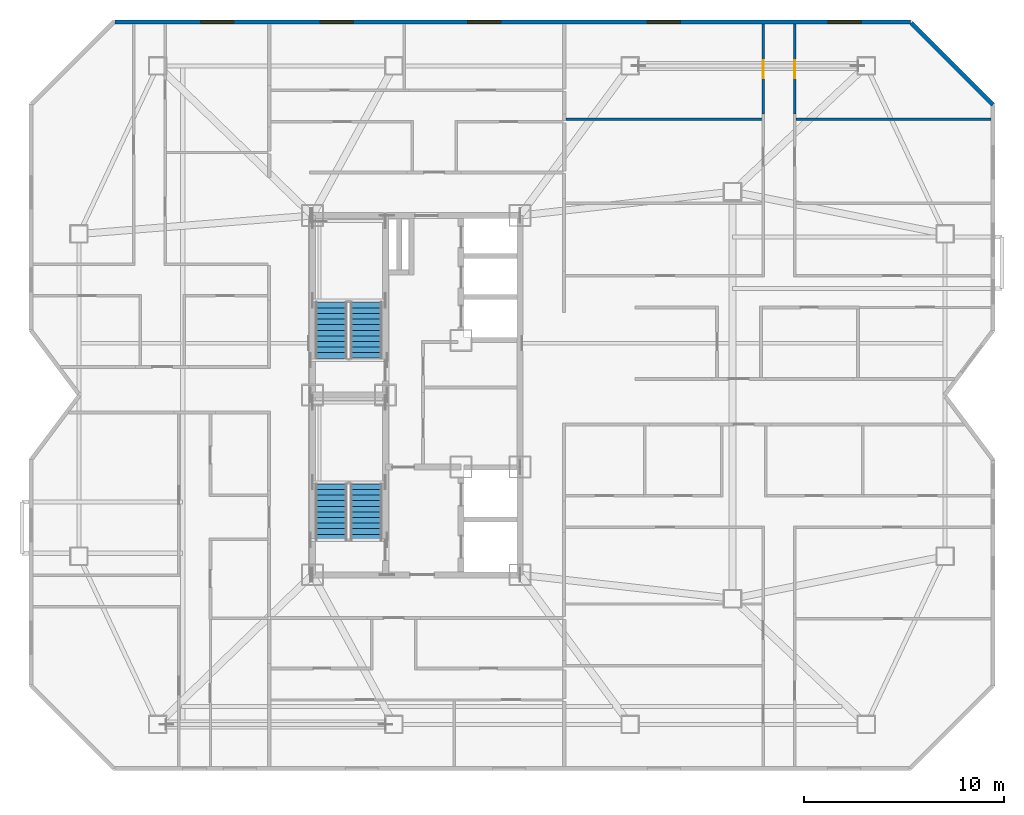
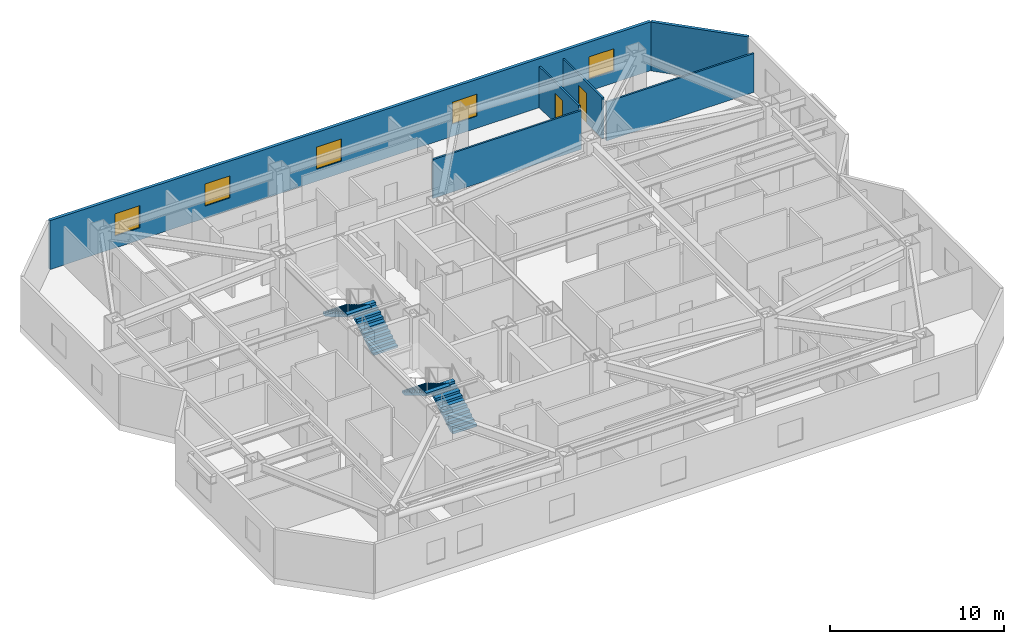
# One storey, part 10 of 11: 6 walls, 5 windows, 4 stair flights, 2 doors, 7 openings, 2 elements without a shape of their own.
"""IFC4 building model written with IfcOpenShell, lengths in metres."""

from ifc_helpers import new_model, si_unit, direction, frame, frame_2d, origin, place, context, subcontext, project, spatial, polyline, rectangle, outline, extrude, material, layer, layer_set, type_object, element, fill, aggregate, save


model = new_model("IFC4")

# Units and contexts
model_context = context("Model", 3, precision=1e-05, world=origin(), true_north=direction((0.0, 1.0)))
body_context = subcontext(model_context, "Body", "Model", "MODEL_VIEW")
ifc_project = project(units=[si_unit("LENGTHUNIT", "METRE"), si_unit("AREAUNIT", "SQUARE_METRE"), si_unit("VOLUMEUNIT", "CUBIC_METRE"), si_unit("PLANEANGLEUNIT", "RADIAN"), si_unit("MASSUNIT", "GRAM", prefix="KILO")], contexts=[model_context])

# Site, building, storey
site_placement = place(None, origin())
site = spatial("IfcSite", under=ifc_project, at=site_placement, CompositionType="ELEMENT")
building_placement = place(site_placement, origin())
building = spatial("IfcBuilding", under=site, at=building_placement, Name="Khamvora Tower", CompositionType="ELEMENT")
storey_placement = place(building_placement, frame((0.0, 0.0, 155.89990234375)))
storey = spatial("IfcBuildingStorey", under=building, at=storey_placement, Name="L39", CompositionType="ELEMENT", Elevation=155.89990234375)

# Wall, openings, windows
ifc_material_1 = material(Name="Precast concrete C40/50", Category="concrete")
ifc_layer_1 = layer(ifc_material_1, 0.199951171875)
ifc_layer_set_1 = layer_set([ifc_layer_1], Name="Precast concrete C40/50")
wall_type_1 = type_object("IfcWallType", Name="WAL-EXT-200", PredefinedType="STANDARD", material=ifc_layer_set_1)
wall_1_placement = place(storey_placement, frame((19.10205078125, 46.699951171875, 0.0), z_axis=(0.0, 0.0, 1.0), x_axis=(1.0, 0.0, 0.0)))
wall_1 = element("IfcWall", 1, at=wall_1_placement, inside=storey, type_object=wall_type_1, Name="L39 exterior facade wall 07.1", PredefinedType="STANDARD", context=body_context, shape_type="SweptSolid", body=[
    extrude(rectangle(XDim=39.85693359375, YDim=0.199951171875, at=frame_2d((19.928466796875, 0.0))), origin(), (0.0, 0.0, 1.0), 3.43017578125),
])
opening_1_placement = place(wall_1_placement, frame((4.302978515625, 0.0, 0.85009765625)))
opening_1 = element("IfcOpeningElement", 2, at=opening_1_placement, cuts=wall_1, Name="Opening WN-06", PredefinedType="OPENING", context=body_context, shape_type="SweptSolid", body=[
    extrude(rectangle(XDim=1.64990234375, YDim=1.550048828125, at=frame_2d((0.824951171875, 0.77490234375))), frame((0.0, 0.10986328125, 0.0), z_axis=(0.0, -1.0, 0.0), x_axis=(1.0, 0.0, 0.0)), (0.0, 0.0, 1.0), 0.219970703125),
])
opening_2_placement = place(wall_1_placement, frame((10.2900390625, 0.0, 0.85009765625)))
opening_2 = element("IfcOpeningElement", 3, at=opening_2_placement, cuts=wall_1, Name="Opening WN-06", PredefinedType="OPENING", context=body_context, shape_type="SweptSolid", body=[
    extrude(rectangle(XDim=1.64990234375, YDim=1.550048828125, at=frame_2d((0.824951171875, 0.77490234375))), frame((0.0, 0.10986328125, 0.0), z_axis=(0.0, -1.0, 0.0), x_axis=(1.0, 0.0, 0.0)), (0.0, 0.0, 1.0), 0.219970703125),
])
opening_3_placement = place(wall_1_placement, frame((17.679931640625, 0.0, 0.85009765625)))
opening_3 = element("IfcOpeningElement", 4, at=opening_3_placement, cuts=wall_1, Name="Opening WN-06", PredefinedType="OPENING", context=body_context, shape_type="SweptSolid", body=[
    extrude(rectangle(XDim=1.64990234375, YDim=1.550048828125, at=frame_2d((0.824951171875, 0.77490234375))), frame((0.0, 0.10986328125, 0.0), z_axis=(0.0, -1.0, 0.0), x_axis=(1.0, 0.0, 0.0)), (0.0, 0.0, 1.0), 0.219970703125),
])
opening_4_placement = place(wall_1_placement, frame((26.679931640625, 0.0, 0.85009765625)))
opening_4 = element("IfcOpeningElement", 5, at=opening_4_placement, cuts=wall_1, Name="Opening WN-06", PredefinedType="OPENING", context=body_context, shape_type="SweptSolid", body=[
    extrude(rectangle(XDim=1.64990234375, YDim=1.550048828125, at=frame_2d((0.824951171875, 0.77490234375))), frame((0.0, 0.10986328125, 0.0), z_axis=(0.0, -1.0, 0.0), x_axis=(1.0, 0.0, 0.0)), (0.0, 0.0, 1.0), 0.219970703125),
])
opening_5_placement = place(wall_1_placement, frame((35.7451171875, 0.0, 0.85009765625)))
opening_5 = element("IfcOpeningElement", 6, at=opening_5_placement, cuts=wall_1, Name="Opening WN-06", PredefinedType="OPENING", context=body_context, shape_type="SweptSolid", body=[
    extrude(rectangle(XDim=1.64990234375, YDim=1.550048828125, at=frame_2d((0.824951171875, 0.77490234375))), frame((0.0, 0.10986328125, 0.0), z_axis=(0.0, -1.0, 0.0), x_axis=(1.0, 0.0, 0.0)), (0.0, 0.0, 1.0), 0.219970703125),
])
ifc_material_2 = material(Name="Low-E Laminated Double Glazing", Category="glass")
window_type = type_object("IfcWindowType", Name="WIN-VIS-1650x1550", PartitioningType="SINGLE_PANEL", PredefinedType="WINDOW", material=ifc_material_2)
window_1_placement = place(opening_1_placement, origin())
window_1 = element("IfcWindow", 7, at=window_1_placement, inside=storey, type_object=window_type, Name="L39 vision window 07.1.01", OverallHeight=1.550048828125, OverallWidth=1.64990234375, PartitioningType="SINGLE_PANEL", PredefinedType="WINDOW", context=body_context, shape_type="SweptSolid", body=[
    extrude(rectangle(XDim=1.64990234375, YDim=1.550048828125, at=frame_2d((0.824951171875, 0.77490234375))), frame((0.0, 0.030029296875, 0.0), z_axis=(0.0, -1.0, 0.0), x_axis=(1.0, 0.0, 0.0)), (0.0, 0.0, 1.0), 0.06005859375),
])
fill(opening_1, window_1)
window_2_placement = place(opening_2_placement, origin())
window_2 = element("IfcWindow", 8, at=window_2_placement, inside=storey, type_object=window_type, Name="L39 vision window 07.1.02", OverallHeight=1.550048828125, OverallWidth=1.64990234375, PartitioningType="SINGLE_PANEL", PredefinedType="WINDOW", context=body_context, shape_type="SweptSolid", body=[
    extrude(rectangle(XDim=1.64990234375, YDim=1.550048828125, at=frame_2d((0.824951171875, 0.77490234375))), frame((0.0, 0.030029296875, 0.0), z_axis=(0.0, -1.0, 0.0), x_axis=(1.0, 0.0, 0.0)), (0.0, 0.0, 1.0), 0.06005859375),
])
fill(opening_2, window_2)
window_3_placement = place(opening_3_placement, origin())
window_3 = element("IfcWindow", 9, at=window_3_placement, inside=storey, type_object=window_type, Name="L39 vision window 07.1.03", OverallHeight=1.550048828125, OverallWidth=1.64990234375, PartitioningType="SINGLE_PANEL", PredefinedType="WINDOW", context=body_context, shape_type="SweptSolid", body=[
    extrude(rectangle(XDim=1.64990234375, YDim=1.550048828125, at=frame_2d((0.824951171875, 0.77490234375))), frame((0.0, 0.030029296875, 0.0), z_axis=(0.0, -1.0, 0.0), x_axis=(1.0, 0.0, 0.0)), (0.0, 0.0, 1.0), 0.06005859375),
])
fill(opening_3, window_3)
window_4_placement = place(opening_4_placement, origin())
window_4 = element("IfcWindow", 10, at=window_4_placement, inside=storey, type_object=window_type, Name="L39 vision window 07.1.04", OverallHeight=1.550048828125, OverallWidth=1.64990234375, PartitioningType="SINGLE_PANEL", PredefinedType="WINDOW", context=body_context, shape_type="SweptSolid", body=[
    extrude(rectangle(XDim=1.64990234375, YDim=1.550048828125, at=frame_2d((0.824951171875, 0.77490234375))), frame((0.0, 0.030029296875, 0.0), z_axis=(0.0, -1.0, 0.0), x_axis=(1.0, 0.0, 0.0)), (0.0, 0.0, 1.0), 0.06005859375),
])
fill(opening_4, window_4)
window_5_placement = place(opening_5_placement, origin())
window_5 = element("IfcWindow", 11, at=window_5_placement, inside=storey, type_object=window_type, Name="L39 vision window 07.1.05", OverallHeight=1.550048828125, OverallWidth=1.64990234375, PartitioningType="SINGLE_PANEL", PredefinedType="WINDOW", context=body_context, shape_type="SweptSolid", body=[
    extrude(rectangle(XDim=1.64990234375, YDim=1.550048828125, at=frame_2d((0.824951171875, 0.77490234375))), frame((0.0, 0.030029296875, 0.0), z_axis=(0.0, -1.0, 0.0), x_axis=(1.0, 0.0, 0.0)), (0.0, 0.0, 1.0), 0.06005859375),
])
fill(opening_5, window_5)

# Wall
wall_2_placement = place(storey_placement, frame((59.0029296875, 46.656005859375, 0.0), z_axis=(0.0, 0.0, 1.0), x_axis=(0.707127848917, -0.707085712828, 0.0)))
element("IfcWall", 12, at=wall_2_placement, inside=storey, type_object=wall_type_1, Name="L39 exterior facade wall 08.1", PredefinedType="STANDARD", context=body_context, shape_type="SweptSolid", body=[
    extrude(rectangle(XDim=5.794189453125, YDim=0.199951171875, at=frame_2d((2.89697265625, 0.0))), origin(), (0.0, 0.0, 1.0), 3.43017578125),
])

# Wall, opening, door
ifc_material_3 = material(Name="Gypsum Plasterboard Partition", Category="gypsum")
ifc_layer_2 = layer(ifc_material_3, 0.1201171875)
ifc_layer_set_2 = layer_set([ifc_layer_2], Name="Gypsum Plasterboard Partition")
wall_type_2 = type_object("IfcWallType", Name="WAL-PART-120", PredefinedType="PARTITIONING", material=ifc_layer_set_2)
wall_3_placement = place(storey_placement, frame((51.60009765625, 42.077880859375, 0.0), z_axis=(0.0, 0.0, 1.0), x_axis=(0.0, 1.0, 0.0)))
wall_3 = element("IfcWall", 13, at=wall_3_placement, inside=storey, type_object=wall_type_2, Name="L39 interior partition wall 114", PredefinedType="PARTITIONING", context=body_context, shape_type="SweptSolid", body=[
    extrude(rectangle(XDim=4.530029296875, YDim=0.1201171875, at=frame_2d((2.26513671875, 0.0))), origin(), (0.0, 0.0, 1.0), 2.8759765625),
])
opening_6_placement = place(wall_3_placement, frame((1.81494140625, 0.0, 0.0)))
opening_6 = element("IfcOpeningElement", 14, at=opening_6_placement, cuts=wall_3, Name="Opening D-RM1", PredefinedType="OPENING", context=body_context, shape_type="SweptSolid", body=[
    extrude(rectangle(XDim=0.89990234375, YDim=2.10009765625, at=frame_2d((0.449951171875, 1.050048828125))), frame((0.0, 0.070068359375, 0.0), z_axis=(0.0, -1.0, 0.0), x_axis=(1.0, 0.0, 0.0)), (0.0, 0.0, 1.0), 0.14013671875),
])
ifc_material_4 = material(Name="Powder-Coated Steel and Hardwood Leaf", Category="steel")
door_type = type_object("IfcDoorType", Name="DOR-ROOM-900", OperationType="NOTDEFINED", PredefinedType="DOOR", material=ifc_material_4)
door_1_placement = place(opening_6_placement, origin())
door_1 = element("IfcDoor", 15, at=door_1_placement, inside=storey, type_object=door_type, Name="L39 interior door 39EBH-39EBR3", OperationType="SINGLE_SWING_LEFT", OverallHeight=2.10009765625, OverallWidth=0.89990234375, PredefinedType="DOOR", context=body_context, shape_type="SweptSolid", body=[
    extrude(rectangle(XDim=0.89990234375, YDim=2.10009765625, at=frame_2d((0.449951171875, 1.050048828125))), frame((0.0, 0.02490234375, 0.0), z_axis=(0.0, -1.0, 0.0), x_axis=(1.0, 0.0, 0.0)), (0.0, 0.0, 1.0), 0.050048828125),
])
fill(opening_6, door_1)

wall_4_placement = place(storey_placement, frame((53.169921875, 46.60791015625, 0.0), z_axis=(0.0, 0.0, 1.0), x_axis=(0.0, -1.0, 0.0)))
wall_4 = element("IfcWall", 16, at=wall_4_placement, inside=storey, type_object=wall_type_2, Name="L39 interior partition wall 118", PredefinedType="PARTITIONING", context=body_context, shape_type="SweptSolid", body=[
    extrude(rectangle(XDim=4.530029296875, YDim=0.1201171875, at=frame_2d((2.26513671875, 0.0))), origin(), (0.0, 0.0, 1.0), 2.8759765625),
])
opening_7_placement = place(wall_4_placement, frame((1.81494140625, 0.0, 0.0)))
opening_7 = element("IfcOpeningElement", 17, at=opening_7_placement, cuts=wall_4, Name="Opening D-RM1", PredefinedType="OPENING", context=body_context, shape_type="SweptSolid", body=[
    extrude(rectangle(XDim=0.89990234375, YDim=2.10009765625, at=frame_2d((0.449951171875, 1.050048828125))), frame((0.0, 0.070068359375, 0.0), z_axis=(0.0, -1.0, 0.0), x_axis=(1.0, 0.0, 0.0)), (0.0, 0.0, 1.0), 0.14013671875),
])
door_2_placement = place(opening_7_placement, origin())
door_2 = element("IfcDoor", 18, at=door_2_placement, inside=storey, type_object=door_type, Name="L39 interior door 39EBH-39EBR6", OperationType="SINGLE_SWING_RIGHT", OverallHeight=2.10009765625, OverallWidth=0.89990234375, PredefinedType="DOOR", context=body_context, shape_type="SweptSolid", body=[
    extrude(rectangle(XDim=0.89990234375, YDim=2.10009765625, at=frame_2d((0.449951171875, 1.050048828125))), frame((0.0, 0.02490234375, 0.0), z_axis=(0.0, -1.0, 0.0), x_axis=(1.0, 0.0, 0.0)), (0.0, 0.0, 1.0), 0.050048828125),
])
fill(opening_7, door_2)

# Walls
wall_5_placement = place(storey_placement, frame((41.697021484375, 41.8291015625, 0.0), z_axis=(0.0, 0.0, 1.0), x_axis=(1.0, 0.0, 0.0)))
element("IfcWall", 19, at=wall_5_placement, inside=storey, type_object=wall_type_2, Name="L39 interior partition wall 120", PredefinedType="PARTITIONING", context=body_context, shape_type="SweptSolid", body=[
    extrude(rectangle(XDim=9.848876953125, YDim=0.1201171875, at=frame_2d((4.92431640625, 0.0))), origin(), (0.0, 0.0, 1.0), 2.72509765625),
])
wall_6_placement = place(storey_placement, frame((53.22412109375, 41.8291015625, 0.0), z_axis=(0.0, 0.0, 1.0), x_axis=(1.0, 0.0, 0.0)))
element("IfcWall", 20, at=wall_6_placement, inside=storey, type_object=wall_type_2, Name="L39 interior partition wall 122", PredefinedType="PARTITIONING", context=body_context, shape_type="SweptSolid", body=[
    extrude(rectangle(XDim=9.783935546875, YDim=0.1201171875, at=frame_2d((4.89208984375, 0.0))), origin(), (0.0, 0.0, 1.0), 2.72509765625),
])

# Stair, stair flights
ifc_material_5 = material(Name="Concrete C40/50", Category="concrete")
stair_type_1 = type_object("IfcStairType", Name="STR-ST-01", PredefinedType="HALF_TURN_STAIR", material=ifc_material_5)
stair_1_placement = place(storey_placement, origin())
stair_1 = element("IfcStair", 21, at=stair_1_placement, inside=storey, type_object=stair_type_1, Name="L39 South Tower Exit Stair ST-01", PredefinedType="HALF_TURN_STAIR")
stair_flight_type_1 = type_object("IfcStairFlightType", Name="STF-ST-01", PredefinedType="STRAIGHT", material=ifc_material_5)
stair_flight_1_placement = place(storey_placement, frame((31.699951171875, 20.75, 0.0), z_axis=(0.0, 0.0, 1.0), x_axis=(0.0, 1.0, 0.0)))
stair_flight_1 = element("IfcStairFlight", 22, at=stair_flight_1_placement, type_object=stair_flight_type_1, Name="ST-01 flight 1", NumberOfRisers=11, NumberOfTreads=10, PredefinedType="STRAIGHT", RiserHeight=0.165909091, TreadLength=0.28, context=body_context, shape_type="SweptSolid", body=[
    extrude(outline(polyline([(0.0, 0.0), (0.0, 0.166015625), (0.280029296875, 0.166015625), (0.280029296875, 0.331787109375), (0.56005859375, 0.331787109375), (0.56005859375, 0.497802734375), (0.840087890625, 0.497802734375), (0.840087890625, 0.66357421875), (1.1201171875, 0.66357421875), (1.1201171875, 0.82958984375), (1.39990234375, 0.82958984375), (1.39990234375, 0.995361328125), (1.679931640625, 0.995361328125), (1.679931640625, 1.161376953125), (1.9599609375, 1.161376953125), (1.9599609375, 1.327392578125), (2.239990234375, 1.327392578125), (2.239990234375, 1.4931640625), (2.52001953125, 1.4931640625), (2.52001953125, 1.6591796875), (2.800048828125, 1.6591796875), (2.800048828125, 1.824951171875), (2.800048828125, 1.48486328125), (0.2939453125, 0.0), (0.0, 0.0)])), frame((0.0, 0.800048828125, 0.0), z_axis=(0.0, -1.0, 0.0), x_axis=(1.0, 0.0, 0.0)), (0.0, 0.0, 1.0), 1.60009765625),
])
stair_flight_2_placement = place(storey_placement, frame((29.949951171875, 23.550048828125, 1.8251953125), z_axis=(0.0, 0.0, 1.0), x_axis=(0.0, -1.0, 0.0)))
stair_flight_2 = element("IfcStairFlight", 23, at=stair_flight_2_placement, type_object=stair_flight_type_1, Name="ST-01 flight 2", NumberOfRisers=11, NumberOfTreads=10, PredefinedType="STRAIGHT", RiserHeight=0.165909091, TreadLength=0.28, context=body_context, shape_type="SweptSolid", body=[
    extrude(outline(polyline([(0.0, 0.0), (0.0, 0.166015625), (0.280029296875, 0.166015625), (0.280029296875, 0.331787109375), (0.56005859375, 0.331787109375), (0.56005859375, 0.497802734375), (0.840087890625, 0.497802734375), (0.840087890625, 0.66357421875), (1.1201171875, 0.66357421875), (1.1201171875, 0.82958984375), (1.39990234375, 0.82958984375), (1.39990234375, 0.995361328125), (1.679931640625, 0.995361328125), (1.679931640625, 1.161376953125), (1.9599609375, 1.161376953125), (1.9599609375, 1.327392578125), (2.239990234375, 1.327392578125), (2.239990234375, 1.4931640625), (2.52001953125, 1.4931640625), (2.52001953125, 1.6591796875), (2.800048828125, 1.6591796875), (2.800048828125, 1.824951171875), (2.800048828125, 1.48486328125), (0.2939453125, 0.0), (0.0, 0.0)])), frame((0.0, 0.800048828125, 0.0), z_axis=(0.0, -1.0, 0.0), x_axis=(1.0, 0.0, 0.0)), (0.0, 0.0, 1.0), 1.60009765625),
])
aggregate(stair_1, [stair_flight_1, stair_flight_2])

stair_type_2 = type_object("IfcStairType", Name="STR-ST-02", PredefinedType="HALF_TURN_STAIR", material=ifc_material_5)
stair_2_placement = place(storey_placement, origin())
stair_2 = element("IfcStair", 24, at=stair_2_placement, inside=storey, type_object=stair_type_2, Name="L39 North Tower Exit Stair ST-02", PredefinedType="HALF_TURN_STAIR")
stair_flight_type_2 = type_object("IfcStairFlightType", Name="STF-ST-02", PredefinedType="STRAIGHT", material=ifc_material_5)
stair_flight_3_placement = place(storey_placement, frame((31.699951171875, 29.85009765625, 0.0), z_axis=(0.0, 0.0, 1.0), x_axis=(0.0, 1.0, 0.0)))
stair_flight_3 = element("IfcStairFlight", 25, at=stair_flight_3_placement, type_object=stair_flight_type_2, Name="ST-02 flight 1", NumberOfRisers=11, NumberOfTreads=10, PredefinedType="STRAIGHT", RiserHeight=0.165909091, TreadLength=0.28, context=body_context, shape_type="SweptSolid", body=[
    extrude(outline(polyline([(0.0, 0.0), (0.0, 0.166015625), (0.280029296875, 0.166015625), (0.280029296875, 0.331787109375), (0.56005859375, 0.331787109375), (0.56005859375, 0.497802734375), (0.840087890625, 0.497802734375), (0.840087890625, 0.66357421875), (1.1201171875, 0.66357421875), (1.1201171875, 0.82958984375), (1.39990234375, 0.82958984375), (1.39990234375, 0.995361328125), (1.679931640625, 0.995361328125), (1.679931640625, 1.161376953125), (1.9599609375, 1.161376953125), (1.9599609375, 1.327392578125), (2.239990234375, 1.327392578125), (2.239990234375, 1.4931640625), (2.52001953125, 1.4931640625), (2.52001953125, 1.6591796875), (2.800048828125, 1.6591796875), (2.800048828125, 1.824951171875), (2.800048828125, 1.48486328125), (0.2939453125, 0.0), (0.0, 0.0)])), frame((0.0, 0.800048828125, 0.0), z_axis=(0.0, -1.0, 0.0), x_axis=(1.0, 0.0, 0.0)), (0.0, 0.0, 1.0), 1.60009765625),
])
stair_flight_4_placement = place(storey_placement, frame((29.949951171875, 32.64990234375, 1.8251953125), z_axis=(0.0, 0.0, 1.0), x_axis=(0.0, -1.0, 0.0)))
stair_flight_4 = element("IfcStairFlight", 26, at=stair_flight_4_placement, type_object=stair_flight_type_2, Name="ST-02 flight 2", NumberOfRisers=11, NumberOfTreads=10, PredefinedType="STRAIGHT", RiserHeight=0.165909091, TreadLength=0.28, context=body_context, shape_type="SweptSolid", body=[
    extrude(outline(polyline([(0.0, 0.0), (0.0, 0.166015625), (0.280029296875, 0.166015625), (0.280029296875, 0.331787109375), (0.56005859375, 0.331787109375), (0.56005859375, 0.497802734375), (0.840087890625, 0.497802734375), (0.840087890625, 0.66357421875), (1.1201171875, 0.66357421875), (1.1201171875, 0.82958984375), (1.39990234375, 0.82958984375), (1.39990234375, 0.995361328125), (1.679931640625, 0.995361328125), (1.679931640625, 1.161376953125), (1.9599609375, 1.161376953125), (1.9599609375, 1.327392578125), (2.239990234375, 1.327392578125), (2.239990234375, 1.4931640625), (2.52001953125, 1.4931640625), (2.52001953125, 1.6591796875), (2.800048828125, 1.6591796875), (2.800048828125, 1.824951171875), (2.800048828125, 1.48486328125), (0.2939453125, 0.0), (0.0, 0.0)])), frame((0.0, 0.800048828125, 0.0), z_axis=(0.0, -1.0, 0.0), x_axis=(1.0, 0.0, 0.0)), (0.0, 0.0, 1.0), 1.60009765625),
])
aggregate(stair_2, [stair_flight_3, stair_flight_4])

save(model, "model.ifc")
